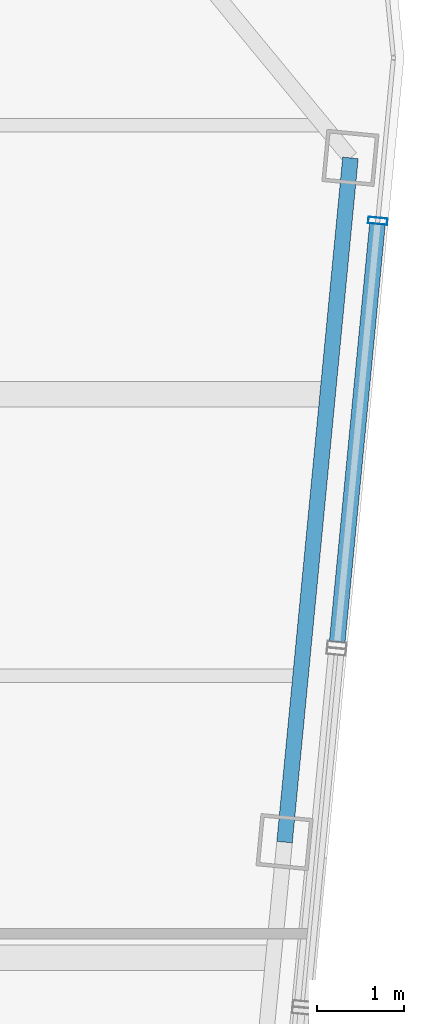
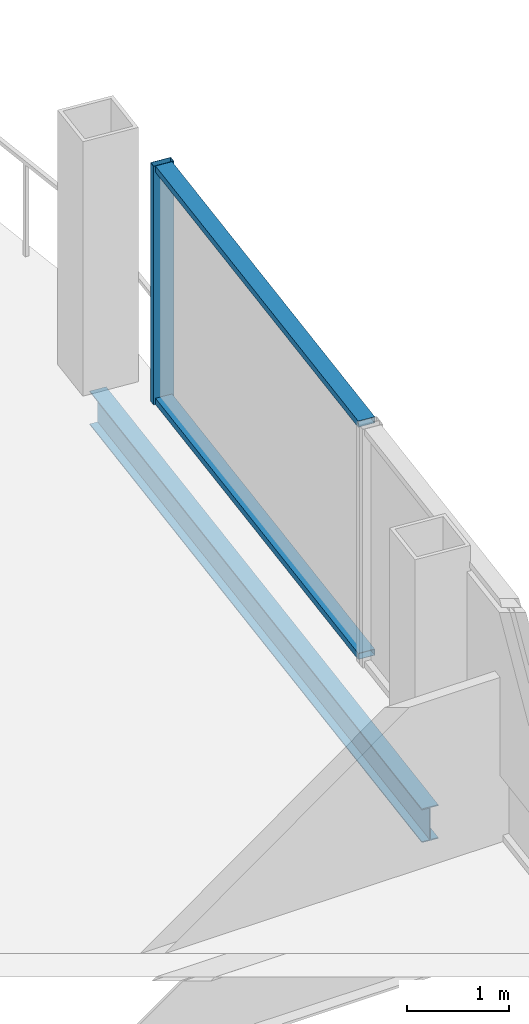
# One storey, part 12 of 22: 3 members, 1 beam, 1 element without a shape of its own.
"""IFC4 building model written with IfcOpenShell, lengths in metres."""

from ifc_helpers import new_model, si_unit, direction, frame, origin, origin_2d, place, context, subcontext, project, spatial, hollow_rectangle, i_section, extrude, material, layer, layer_set, material_profile, profile_set, type_object, element, aggregate, save


model = new_model("IFC4")

# Units and contexts
model_context = context("Model", 3, precision=1e-05, world=origin(), true_north=direction((0.0, 1.0)))
body_context = subcontext(model_context, "Body", "Model", "MODEL_VIEW")
ifc_project = project(units=[si_unit("LENGTHUNIT", "METRE"), si_unit("AREAUNIT", "SQUARE_METRE"), si_unit("VOLUMEUNIT", "CUBIC_METRE"), si_unit("PLANEANGLEUNIT", "RADIAN"), si_unit("MASSUNIT", "GRAM", prefix="KILO")], contexts=[model_context])

# Site, building, storey
site_placement = place(None, origin())
site = spatial("IfcSite", under=ifc_project, at=site_placement, CompositionType="ELEMENT")
building_placement = place(site_placement, origin())
building = spatial("IfcBuilding", under=site, at=building_placement, Name="Qhalaya Broadcast Tower", CompositionType="ELEMENT")
storey_placement = place(building_placement, frame((0.0, 0.0, 252.0)))
storey = spatial("IfcBuildingStorey", under=building, at=storey_placement, Name="L74", CompositionType="ELEMENT", Elevation=252.0)

# Curtain wall, members
ifc_material_1 = material(Name="Fired Architectural Terracotta", Category="masonry")
ifc_layer = layer(ifc_material_1, 0.219970703125, Name="Fired Architectural Terracotta")
ifc_layer_set = layer_set([ifc_layer], Name="Fired Architectural Terracotta")
curtain_wall_type = type_object("IfcCurtainWallType", Name="Block-Cap Unitised Terracotta Spandrel Wall CW-07", PredefinedType="NOTDEFINED", material=ifc_layer_set)
curtain_wall_placement = place(storey_placement, origin())
curtain_wall = element("IfcCurtainWall", 1, at=curtain_wall_placement, inside=storey, type_object=curtain_wall_type, Name="L74 Unitised Curtain Wall L74-CW-E5", PredefinedType="NOTDEFINED")
ifc_material_2 = material(Name="Anodised Aluminium 6063-T6", Category="aluminium")
ifc_material_profile_1 = material_profile(ifc_material_2, hollow_rectangle(XDim=0.074951171875, YDim=0.219970703125, WallThickness=0.00390625, at=origin_2d()), Name="ALU-MUL 75x220x4")
ifc_profile_set_1 = profile_set([ifc_material_profile_1], Name="Anodised Aluminium 6063-T6")
member_type_1 = type_object("IfcMemberType", Name="Unitised Curtain-Wall Mullion M01", PredefinedType="MULLION", material=ifc_profile_set_1)
member_1_placement = place(storey_placement, frame((22.40283203125, 5.8076171875, 0.0), z_axis=(0.0, 0.0, 1.0), x_axis=(0.095840154905, 0.99539673734, 0.0)))
member_1 = element("IfcMember", 2, at=member_1_placement, type_object=member_type_1, Name="CW-07 mullion 2", PredefinedType="MULLION", context=body_context, shape_type="SweptSolid", body=[
    extrude(hollow_rectangle(XDim=0.074951171875, YDim=0.219970703125, WallThickness=0.00390625, at=origin_2d()), origin(), (0.0, 0.0, 1.0), 2.860107421875),
])
ifc_material_profile_2 = material_profile(ifc_material_2, hollow_rectangle(XDim=0.074951171875, YDim=0.179931640625, WallThickness=0.00390625, at=origin_2d()), Name="ALU-TRN 75x180x4")
ifc_profile_set_2 = profile_set([ifc_material_profile_2], Name="Anodised Aluminium 6063-T6")
member_type_2 = type_object("IfcMemberType", Name="Unitised Curtain-Wall Transom T01", PredefinedType="USERDEFINED", material=ifc_profile_set_2)
member_2_placement = place(storey_placement, frame((21.93896484375, 0.990234375, 0.03759765625), z_axis=(0.095833498035, 0.995397378264, 0.0), x_axis=(0.0, 0.0, 1.0)))
member_2 = element("IfcMember", 3, at=member_2_placement, type_object=member_type_2, Name="CW-07 transom 1.1", ObjectType="TRANSOM", PredefinedType="USERDEFINED", context=body_context, shape_type="SweptSolid", body=[
    extrude(hollow_rectangle(XDim=0.074951171875, YDim=0.179931640625, WallThickness=0.00390625, at=origin_2d()), origin(), (0.0, 0.0, 1.0), 4.80224609375),
])
member_3_placement = place(storey_placement, frame((21.93896484375, 0.990234375, 2.822509765625), z_axis=(0.095833498035, 0.995397378264, 0.0), x_axis=(0.0, 0.0, 1.0)))
member_3 = element("IfcMember", 4, at=member_3_placement, type_object=member_type_2, Name="CW-07 transom 1.2", ObjectType="TRANSOM", PredefinedType="USERDEFINED", context=body_context, shape_type="SweptSolid", body=[
    extrude(hollow_rectangle(XDim=0.074951171875, YDim=0.179931640625, WallThickness=0.00390625, at=origin_2d()), origin(), (0.0, 0.0, 1.0), 4.80224609375),
])
aggregate(curtain_wall, [member_1, member_2, member_3])

# Beam
ifc_material_3 = material(Name="Structural Steel ASTM A992 Grade 50", Category="steel")
ifc_material_profile_3 = material_profile(ifc_material_3, i_section(OverallWidth=0.177978515625, OverallDepth=0.406005859375, WebThickness=0.0078125, FlangeThickness=0.0126953125, at=origin_2d()), Name="W16X40")
ifc_profile_set_3 = profile_set([ifc_material_profile_3], Name="Structural Steel ASTM A992 Grade 50")
beam_type = type_object("IfcBeamType", Name="Upper Perimeter Spandrel Beam SP2", PredefinedType="SPANDREL", material=ifc_profile_set_3)
beam_placement = place(storey_placement, frame((21.33642578125, -1.302001953125, -0.39306640625), z_axis=(0.095837184179, 0.995397023367, 0.0), x_axis=(-0.995397023367, 0.095837184179, 0.0)))
element("IfcBeam", 5, at=beam_placement, inside=storey, type_object=beam_type, Name="L74 SP2 L74-SPR-07", PredefinedType="SPANDREL", context=body_context, shape_type="SweptSolid", body=[
    extrude(i_section(OverallWidth=0.177978515625, OverallDepth=0.406005859375, WebThickness=0.0078125, FlangeThickness=0.0126953125, at=origin_2d()), origin(), (0.0, 0.0, 1.0), 7.866455078125),
])

save(model, "model.ifc")
